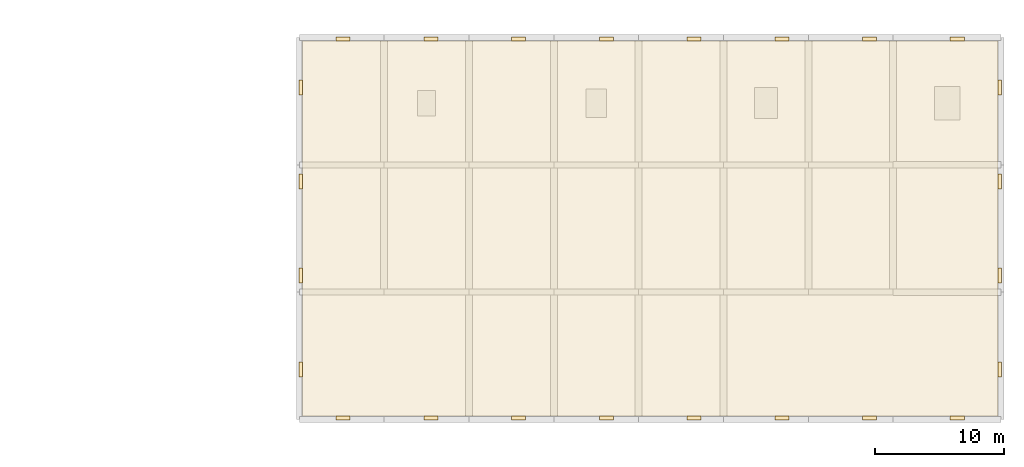
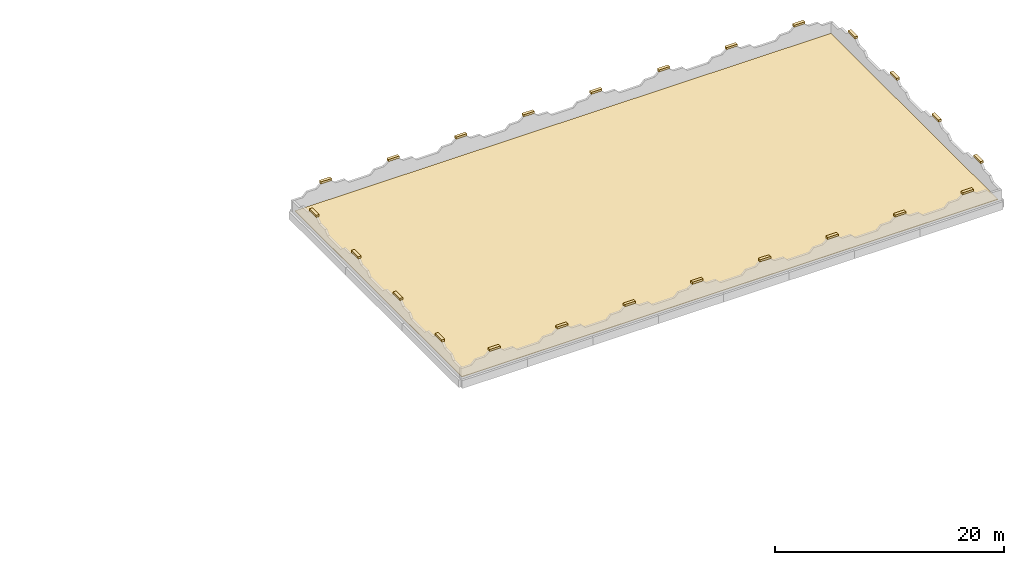
# One storey, part 17 of 20: 25 coverings.
"""IFC4 building model written with IfcOpenShell, lengths in metres."""

import ifcopenshell
import ifcopenshell.guid

model = None  # the IFC model being written
_history = None  # IfcOwnerHistory: only IFC2X3 demands one
_inside = {}  # id of a spatial element -> (the spatial element, [elements in it])
_under = {}  # id of a project, library or spatial element -> (it, [spatial elements below it])
_declared = {}  # id of a project -> (the project, [libraries it declares])
_typed = {}  # id of a type object -> (the type object, [elements of that type])
_made_of = {}  # id of a material, layer set ... -> (it, [elements and type objects made of it])


def new_model(schema):
    """Start an empty IFC model of exactly this schema.

    Asked for "IFC4X3", IfcOpenShell would pick the latest addendum, in which some entities
    have other attributes; the version numbers below select the first issue.
    IFC2X3 requires an IfcOwnerHistory on every rooted entity: one is made here for all.
    """
    global model, _history
    if schema == "IFC4X3":
        model = ifcopenshell.file(schema_version=(4, 3, 0, 0))
    else:
        model = ifcopenshell.file(schema=schema)
    _inside.clear()
    _under.clear()
    _declared.clear()
    _typed.clear()
    _made_of.clear()
    _history = None
    if model.schema == "IFC2X3":
        org = make("IfcOrganization", Name="unknown")
        user = make(
            "IfcPersonAndOrganization",
            ThePerson=make("IfcPerson", FamilyName="unknown"),
            TheOrganization=org,
        )
        app = make(
            "IfcApplication",
            ApplicationDeveloper=org,
            Version="unknown",
            ApplicationFullName="unknown",
            ApplicationIdentifier="unknown",
        )
        _history = make(
            "IfcOwnerHistory",
            OwningUser=user,
            OwningApplication=app,
            ChangeAction="ADDED",
            CreationDate=0,
        )
    return model


def make(cls, **values):
    """One entity of the class cls with the attributes given. An attribute that is None is left unset."""
    return model.create_entity(
        cls, **{name: value for name, value in values.items() if value is not None}
    )


def rooted(cls, **values):
    """An entity with a GlobalId (a new one), such as an element, a storey or a relation."""
    return make(cls, GlobalId=ifcopenshell.guid.new(), OwnerHistory=_history, **values)


def si_unit(unit_type, name, prefix=None):
    """IfcSIUnit, for example si_unit("LENGTHUNIT", "METRE", prefix="MILLI")."""
    return make("IfcSIUnit", UnitType=unit_type, Prefix=prefix, Name=name)


def assignment(units):
    """IfcUnitAssignment: the units of a project."""
    return None if units is None else make("IfcUnitAssignment", Units=units)


def point(xyz):
    """IfcCartesianPoint."""
    return None if xyz is None else make("IfcCartesianPoint", Coordinates=xyz)


def direction(xyz):
    """IfcDirection."""
    return None if xyz is None else make("IfcDirection", DirectionRatios=xyz)


def frame(location, z_axis=None, x_axis=None):
    """IfcAxis2Placement3D, a coordinate frame: its origin and axes. An axis left out is left unset."""
    return make(
        "IfcAxis2Placement3D",
        Location=point(location),
        Axis=direction(z_axis),
        RefDirection=direction(x_axis),
    )


def frame_2d(location, x_axis=None):
    """IfcAxis2Placement2D, a coordinate frame in the plane: its origin and x axis."""
    return make(
        "IfcAxis2Placement2D", Location=point(location), RefDirection=direction(x_axis)
    )


def origin():
    """The frame at (0, 0, 0) with its axes left unset."""
    return frame((0.0, 0.0, 0.0))


def origin_2d():
    """The frame at (0, 0) in the plane with its x axis left unset."""
    return frame_2d((0.0, 0.0))


def place(relative_to, where):
    """IfcLocalPlacement: puts the frame where relative to a parent placement (None: the world)."""
    return make(
        "IfcLocalPlacement", PlacementRelTo=relative_to, RelativePlacement=where
    )


def context(
    kind, dimensions, precision=None, world=None, true_north=None, identifier=None
):
    """IfcGeometricRepresentationContext, for example the 3D "Model" context."""
    return make(
        "IfcGeometricRepresentationContext",
        ContextIdentifier=identifier,
        ContextType=kind,
        CoordinateSpaceDimension=dimensions,
        Precision=precision,
        WorldCoordinateSystem=world,
        TrueNorth=true_north,
    )


def subcontext(parent, identifier, kind, view, scale=None):
    """IfcGeometricRepresentationSubContext, for example "Body" below "Model"."""
    return make(
        "IfcGeometricRepresentationSubContext",
        ContextIdentifier=identifier,
        ContextType=kind,
        ParentContext=parent,
        TargetScale=scale,
        TargetView=view,
    )


def project(units=None, contexts=None):
    """IfcProject with its units and contexts."""
    return rooted(
        "IfcProject",
        Name="project",
        RepresentationContexts=contexts,
        UnitsInContext=assignment(units),
    )


def spatial(cls, under=None, at=None, **own):
    """A site, building, storey or space (cls), placed at a placement, below another one or the project."""
    s = rooted(cls, ObjectPlacement=at, **own)
    if under is not None:
        _under.setdefault(under.id(), (under, []))[1].append(s)
    return s


def polyline(points):
    """IfcPolyline through the points."""
    return make("IfcPolyline", Points=[point(p) for p in points])


def profile(cls, at=None, kind="AREA", **sizes):
    """A parametric profile (cls). Its sizes go by their IFC names, for example OverallWidth=200.0."""
    return make(cls, ProfileType=kind, Position=at, **sizes)


def rectangle(**sizes):
    """IfcRectangleProfileDef."""
    return profile("IfcRectangleProfileDef", **sizes)


def outline(outer, holes=None, kind="AREA"):
    """IfcArbitraryClosedProfileDef: a profile drawn as a closed curve; with holes, ...WithVoids."""
    if holes is None:
        return make("IfcArbitraryClosedProfileDef", ProfileType=kind, OuterCurve=outer)
    return make(
        "IfcArbitraryProfileDefWithVoids",
        ProfileType=kind,
        OuterCurve=outer,
        InnerCurves=holes,
    )


def extrude(swept, where, along, depth):
    """IfcExtrudedAreaSolid: the profile swept, set in the frame where, extruded along a direction by depth."""
    return make(
        "IfcExtrudedAreaSolid",
        SweptArea=swept,
        Position=where,
        ExtrudedDirection=direction(along),
        Depth=depth,
    )


def shape(context_of_items, identifier, shape_type, items):
    """IfcShapeRepresentation: the items that make up one representation, for example the "Body"."""
    return make(
        "IfcShapeRepresentation",
        ContextOfItems=context_of_items,
        RepresentationIdentifier=identifier,
        RepresentationType=shape_type,
        Items=items,
    )


def material(Name=None, Category=None):
    """IfcMaterial."""
    return make("IfcMaterial", Name=Name, Category=Category)


def layer(
    of_material, thickness, ventilated=None, Name=None, Category=None, Priority=None
):
    """IfcMaterialLayer: one layer of a wall or slab, of a material (None: an air gap)."""
    return make(
        "IfcMaterialLayer",
        Material=of_material,
        LayerThickness=thickness,
        IsVentilated=ventilated,
        Name=Name,
        Category=Category,
        Priority=Priority,
    )


def layer_set(layers, Name=None):
    """IfcMaterialLayerSet."""
    return make("IfcMaterialLayerSet", MaterialLayers=layers, LayerSetName=Name)


def made_of(thing, what):
    """Note that an element or type object is made of a material, layer set ...; save() writes the relation."""
    if what is not None:
        _made_of.setdefault(what.id(), (what, []))[1].append(thing)
    return thing


def type_object(cls, material=None, **own):
    """A type object (cls), such as IfcWallType, which elements share."""
    return made_of(rooted(cls, **own), material)


def element(
    cls,
    number,
    at=None,
    inside=None,
    cuts=None,
    type_object=None,
    material=None,
    context=None,
    identifier="Body",
    shape_type=None,
    held_by="IfcProductDefinitionShape",
    body=None,
    shapes=None,
    **own,
):
    """One element of the class cls, such as IfcWall. Its Tag is "e" and its number.

    at: its placement. inside: the storey or other place that contains it. cuts: it is an
    opening in that element (IfcRelVoidsElement). A single representation is given by context,
    identifier, shape_type and body (its items); several are given by shapes. held_by: the class
    of the entity that holds the representations. save() writes the other relations.
    """
    e = rooted(cls, Tag="e%d" % number, ObjectPlacement=at, **own)
    if body is not None:
        shapes = [shape(context, identifier, shape_type, body)]
    if shapes is not None:
        e.Representation = make(held_by, Representations=shapes)
    if inside is not None:
        _inside.setdefault(inside.id(), (inside, []))[1].append(e)
    if cuts is not None:
        rooted(
            "IfcRelVoidsElement", RelatingBuildingElement=cuts, RelatedOpeningElement=e
        )
    if type_object is not None:
        _typed.setdefault(type_object.id(), (type_object, []))[1].append(e)
    return made_of(e, material)


def aggregate(whole, parts):
    """IfcRelAggregates: a whole, such as a stair, and the parts it consists of."""
    return rooted("IfcRelAggregates", RelatingObject=whole, RelatedObjects=parts)


def save(model, path):
    """Write the relations noted so far, then the file.

    IfcRelAggregates (storeys below a building ...), IfcRelContainedInSpatialStructure (elements
    in a storey), IfcRelDefinesByType, IfcRelAssociatesMaterial and IfcRelDeclares: one each for
    every whole, place, type object, material and project.
    """
    for whole, parts in _under.values():
        aggregate(whole, parts)
    for where, things in _inside.values():
        rooted(
            "IfcRelContainedInSpatialStructure",
            RelatedElements=things,
            RelatingStructure=where,
        )
    for kind, things in _typed.values():
        rooted("IfcRelDefinesByType", RelatedObjects=things, RelatingType=kind)
    for what, things in _made_of.values():
        rooted("IfcRelAssociatesMaterial", RelatedObjects=things, RelatingMaterial=what)
    for by, libraries in _declared.values():
        rooted("IfcRelDeclares", RelatingContext=by, RelatedDefinitions=libraries)
    model.write(path)


model = new_model("IFC4")

# Units and contexts
model_context = context("Model", 3, precision=1e-05, world=origin(), true_north=direction((0.0, 1.0)))
body_context = subcontext(model_context, "Body", "Model", "MODEL_VIEW")
ifc_project = project(units=[si_unit("LENGTHUNIT", "METRE"), si_unit("AREAUNIT", "SQUARE_METRE"), si_unit("VOLUMEUNIT", "CUBIC_METRE"), si_unit("PLANEANGLEUNIT", "RADIAN"), si_unit("MASSUNIT", "GRAM", prefix="KILO")], contexts=[model_context])

# Site, building, storey
site_placement = place(None, origin())
site = spatial("IfcSite", under=ifc_project, at=site_placement, CompositionType="ELEMENT")
building_placement = place(site_placement, origin())
building = spatial("IfcBuilding", under=site, at=building_placement, Name="Dornvale Research Institute", CompositionType="ELEMENT")
storey_placement = place(building_placement, frame((0.0, 0.0, 34.199951171875)))
storey = spatial("IfcBuildingStorey", under=building, at=storey_placement, Name="L07", CompositionType="ELEMENT", Elevation=34.199951171875)

# Coverings
ifc_material_1 = material(Name="TPO High-Reflectance Cool Roof Membrane and Rigid Insulation")
ifc_layer_1 = layer(ifc_material_1, 0.06005859375)
ifc_layer_set_1 = layer_set([ifc_layer_1], Name="TPO High-Reflectance Cool Roof Membrane and Rigid Insulation")
covering_type_1 = type_object("IfcCoveringType", Name="Covering_CoolRoof_Membrane", PredefinedType="ROOFING", material=ifc_layer_set_1)
covering_placement = place(storey_placement, origin())
element("IfcCovering", 1, at=covering_placement, inside=storey, type_object=covering_type_1, Name="L07 V4-L07 cool roof membrane", PredefinedType="ROOFING", context=body_context, shape_type="SweptSolid", body=[
    extrude(outline(polyline([(119.050048828125, 92.64990234375), (173.14990234375, 92.64990234375), (173.14990234375, 121.85009765625), (119.050048828125, 121.85009765625), (119.050048828125, 92.64990234375)])), origin(), (0.0, 0.0, 1.0), 0.06005859375),
])
ifc_material_2 = material(Name="Polychrome Trencadis Glazed Ceramic Mosaic Coping")
ifc_layer_2 = layer(ifc_material_2, 0.300048828125)
ifc_layer_set_2 = layer_set([ifc_layer_2], Name="Polychrome Trencadis Glazed Ceramic Mosaic Coping")
covering_type_2 = type_object("IfcCoveringType", Name="Covering_Trencadis_Crown", PredefinedType="CLADDING", material=ifc_layer_set_2)
for number, where, z_axis, x_axis, name in (
    (2, (122.21240234375, 92.510009765625, 2.0), (0.0, 0.0, 1.0), (1.0, 0.0, 0.0), "L07 V4-L07 polychrome trencadis crown coping S-1"),
    (3, (129.03759765625, 92.510009765625, 2.0), (0.0, 0.0, 1.0), (1.0, 0.0, 0.0), "L07 V4-L07 polychrome trencadis crown coping S-2"),
    (4, (135.862548828125, 92.510009765625, 2.0), (0.0, 0.0, 1.0), (1.0, 0.0, 0.0), "L07 V4-L07 polychrome trencadis crown coping S-3"),
    (5, (142.6875, 92.510009765625, 2.0), (0.0, 0.0, 1.0), (1.0, 0.0, 0.0), "L07 V4-L07 polychrome trencadis crown coping S-4"),
    (6, (149.512451171875, 92.510009765625, 2.0), (0.0, 0.0, 1.0), (1.0, 0.0, 0.0), "L07 V4-L07 polychrome trencadis crown coping S-5"),
    (7, (156.33740234375, 92.510009765625, 2.0), (0.0, 0.0, 1.0), (1.0, 0.0, 0.0), "L07 V4-L07 polychrome trencadis crown coping S-6"),
    (8, (163.16259765625, 92.510009765625, 2.0), (0.0, 0.0, 1.0), (1.0, 0.0, 0.0), "L07 V4-L07 polychrome trencadis crown coping S-7"),
    (9, (169.987548828125, 92.510009765625, 2.0), (0.0, 0.0, 1.0), (1.0, 0.0, 0.0), "L07 V4-L07 polychrome trencadis crown coping S-8"),
    (10, (122.21240234375, 121.989990234375, 2.0), (0.0, 0.0, 1.0), (1.0, 0.0, 0.0), "L07 V4-L07 polychrome trencadis crown coping N-1"),
    (11, (129.03759765625, 121.989990234375, 2.0), (0.0, 0.0, 1.0), (1.0, 0.0, 0.0), "L07 V4-L07 polychrome trencadis crown coping N-2"),
    (12, (135.862548828125, 121.989990234375, 2.0), (0.0, 0.0, 1.0), (1.0, 0.0, 0.0), "L07 V4-L07 polychrome trencadis crown coping N-3"),
    (13, (142.6875, 121.989990234375, 2.0), (0.0, 0.0, 1.0), (1.0, 0.0, 0.0), "L07 V4-L07 polychrome trencadis crown coping N-4"),
    (14, (149.512451171875, 121.989990234375, 2.0), (0.0, 0.0, 1.0), (1.0, 0.0, 0.0), "L07 V4-L07 polychrome trencadis crown coping N-5"),
    (15, (156.33740234375, 121.989990234375, 2.0), (0.0, 0.0, 1.0), (1.0, 0.0, 0.0), "L07 V4-L07 polychrome trencadis crown coping N-6"),
    (16, (163.16259765625, 121.989990234375, 2.0), (0.0, 0.0, 1.0), (1.0, 0.0, 0.0), "L07 V4-L07 polychrome trencadis crown coping N-7"),
    (17, (169.987548828125, 121.989990234375, 2.0), (0.0, 0.0, 1.0), (1.0, 0.0, 0.0), "L07 V4-L07 polychrome trencadis crown coping N-8"),
):
    element("IfcCovering", number, at=place(storey_placement, frame(where, z_axis=z_axis, x_axis=x_axis)), inside=storey, type_object=covering_type_2, Name=name, PredefinedType="CLADDING", context=body_context, shape_type="SweptSolid", body=[
        extrude(rectangle(XDim=1.092041015625, YDim=0.300048828125, at=origin_2d()), origin(), (0.0, 0.0, 1.0), 0.219970703125),
    ])
for number, where, z_axis, x_axis, name in (
    (18, (118.909912109375, 96.277587890625, 2.0), (0.0, 0.0, 1.0), (0.0, 1.0, 0.0), "L07 V4-L07 polychrome trencadis crown coping W-1"),
    (19, (118.909912109375, 103.592529296875, 2.0), (0.0, 0.0, 1.0), (0.0, 1.0, 0.0), "L07 V4-L07 polychrome trencadis crown coping W-2"),
    (20, (118.909912109375, 110.907470703125, 2.0), (0.0, 0.0, 1.0), (0.0, 1.0, 0.0), "L07 V4-L07 polychrome trencadis crown coping W-3"),
    (21, (118.909912109375, 118.222412109375, 2.0), (0.0, 0.0, 1.0), (0.0, 1.0, 0.0), "L07 V4-L07 polychrome trencadis crown coping W-4"),
    (22, (173.2900390625, 96.277587890625, 2.0), (0.0, 0.0, 1.0), (0.0, 1.0, 0.0), "L07 V4-L07 polychrome trencadis crown coping E-1"),
    (23, (173.2900390625, 103.592529296875, 2.0), (0.0, 0.0, 1.0), (0.0, 1.0, 0.0), "L07 V4-L07 polychrome trencadis crown coping E-2"),
    (24, (173.2900390625, 110.907470703125, 2.0), (0.0, 0.0, 1.0), (0.0, 1.0, 0.0), "L07 V4-L07 polychrome trencadis crown coping E-3"),
    (25, (173.2900390625, 118.222412109375, 2.0), (0.0, 0.0, 1.0), (0.0, 1.0, 0.0), "L07 V4-L07 polychrome trencadis crown coping E-4"),
):
    element("IfcCovering", number, at=place(storey_placement, frame(where, z_axis=z_axis, x_axis=x_axis)), inside=storey, type_object=covering_type_2, Name=name, PredefinedType="CLADDING", context=body_context, shape_type="SweptSolid", body=[
        extrude(rectangle(XDim=1.169921875, YDim=0.300048828125, at=origin_2d()), origin(), (0.0, 0.0, 1.0), 0.219970703125),
    ])

save(model, "model.ifc")
